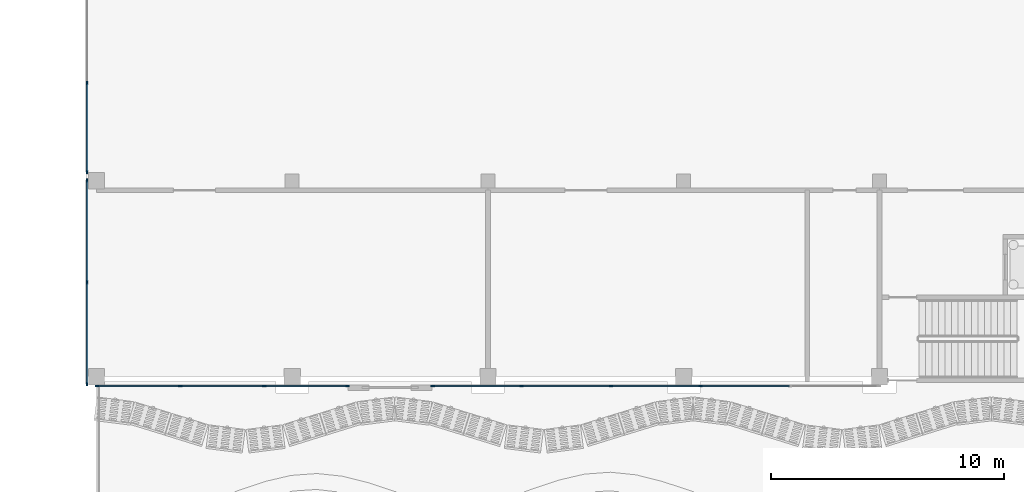
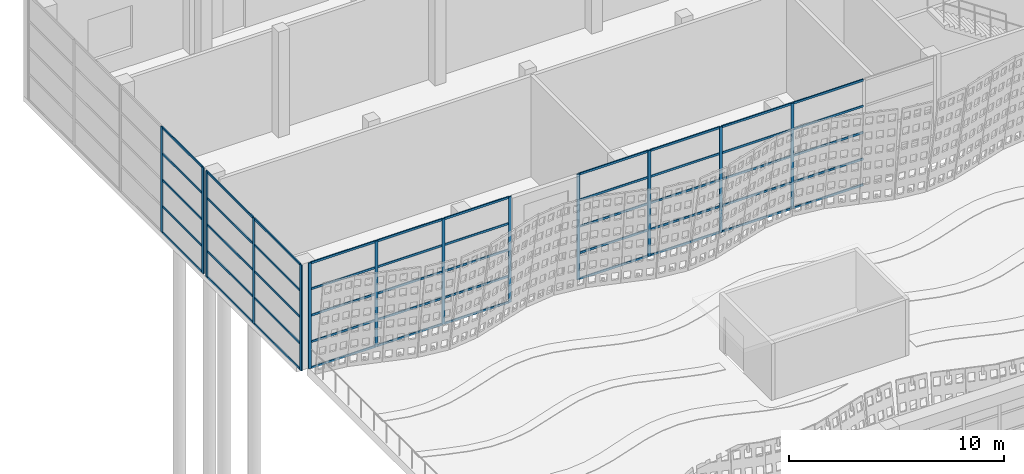
# One storey, part 29 of 210: 63 members, 4 elements without a shape of their own.
"""IFC4 building model written with IfcOpenShell, lengths in metres."""

from ifc_helpers import new_model, si_unit, direction, frame, origin, origin_2d, place, context, subcontext, project, spatial, rectangle, extrude, material, layer, layer_set, material_profile, profile_set, type_object, element, aggregate, save


model = new_model("IFC4")

# Units and contexts
model_context = context("Model", 3, precision=1e-05, world=origin(), true_north=direction((0.0, 1.0)))
body_context = subcontext(model_context, "Body", "Model", "MODEL_VIEW")
ifc_project = project(units=[si_unit("LENGTHUNIT", "METRE"), si_unit("AREAUNIT", "SQUARE_METRE"), si_unit("VOLUMEUNIT", "CUBIC_METRE"), si_unit("PLANEANGLEUNIT", "RADIAN"), si_unit("MASSUNIT", "GRAM", prefix="KILO")], contexts=[model_context])

# Site, building, storey
site_placement = place(None, origin())
site = spatial("IfcSite", under=ifc_project, at=site_placement, CompositionType="ELEMENT")
building_placement = place(site_placement, origin())
building = spatial("IfcBuilding", under=site, at=building_placement, Name="Rain Tree Exposition and Congress Centre", CompositionType="ELEMENT")
storey_placement = place(building_placement, origin())
storey = spatial("IfcBuildingStorey", under=building, at=storey_placement, Name="L00", CompositionType="ELEMENT", Elevation=0.0)

# Curtain wall, members
ifc_material_1 = material(Name="Aluminium curtain wall system", Category="aluminium")
ifc_layer = layer(ifc_material_1, 0.10009765625)
ifc_layer_set = layer_set([ifc_layer], Name="Aluminium curtain wall system")
curtain_wall_type = type_object("IfcCurtainWallType", Name="Concourse curtain wall 4200 module", PredefinedType="NOTDEFINED", material=ifc_layer_set)
curtain_wall_1_placement = place(storey_placement, origin())
curtain_wall_1 = element("IfcCurtainWall", 1, at=curtain_wall_1_placement, inside=storey, type_object=curtain_wall_type, Name="Concourse curtain wall CWC01", PredefinedType="NOTDEFINED")
ifc_material_2 = material(Name="Aluminium mullion", Category="aluminium")
ifc_material_profile_1 = material_profile(ifc_material_2, rectangle(XDim=0.06005859375, YDim=0.159912109375, at=origin_2d()), Name="AL 60x160")
ifc_profile_set_1 = profile_set([ifc_material_profile_1], Name="Aluminium mullion")
member_type_1 = type_object("IfcMemberType", Name="Concourse curtain wall mullion 60x160", PredefinedType="MULLION", material=ifc_profile_set_1)
member_1_placement = place(storey_placement, frame((0.030029296875, 75.199951171875, 0.0), z_axis=(0.0, 0.0, 1.0), x_axis=(0.0, 1.0, 0.0)))
member_1 = element("IfcMember", 2, at=member_1_placement, type_object=member_type_1, Name="CWC01 mullion 1", PredefinedType="MULLION", context=body_context, shape_type="SweptSolid", body=[
    extrude(rectangle(XDim=0.06005859375, YDim=0.159912109375, at=origin_2d()), origin(), (0.0, 0.0, 1.0), 6.0),
])
member_2_placement = place(storey_placement, frame((3.60009765625, 75.199951171875, 0.0), z_axis=(0.0, 0.0, 1.0), x_axis=(0.0, 1.0, 0.0)))
member_2 = element("IfcMember", 3, at=member_2_placement, type_object=member_type_1, Name="CWC01 mullion 2", PredefinedType="MULLION", context=body_context, shape_type="SweptSolid", body=[
    extrude(rectangle(XDim=0.06005859375, YDim=0.159912109375, at=origin_2d()), origin(), (0.0, 0.0, 1.0), 6.0),
])
member_3_placement = place(storey_placement, frame((7.199951171875, 75.199951171875, 0.0), z_axis=(0.0, 0.0, 1.0), x_axis=(0.0, 1.0, 0.0)))
member_3 = element("IfcMember", 4, at=member_3_placement, type_object=member_type_1, Name="CWC01 mullion 3", PredefinedType="MULLION", context=body_context, shape_type="SweptSolid", body=[
    extrude(rectangle(XDim=0.06005859375, YDim=0.159912109375, at=origin_2d()), origin(), (0.0, 0.0, 1.0), 6.0),
])
member_4_placement = place(storey_placement, frame((10.77001953125, 75.199951171875, 0.0), z_axis=(0.0, 0.0, 1.0), x_axis=(0.0, 1.0, 0.0)))
member_4 = element("IfcMember", 5, at=member_4_placement, type_object=member_type_1, Name="CWC01 mullion 4", PredefinedType="MULLION", context=body_context, shape_type="SweptSolid", body=[
    extrude(rectangle(XDim=0.06005859375, YDim=0.159912109375, at=origin_2d()), origin(), (0.0, 0.0, 1.0), 6.0),
])

curtain_wall_2_placement = place(storey_placement, origin())
curtain_wall_2 = element("IfcCurtainWall", 6, at=curtain_wall_2_placement, inside=storey, type_object=curtain_wall_type, Name="Concourse curtain wall CWC02", PredefinedType="NOTDEFINED")
member_5_placement = place(storey_placement, frame((14.429931640625, 75.199951171875, 0.0), z_axis=(0.0, 0.0, 1.0), x_axis=(0.0, 1.0, 0.0)))
member_5 = element("IfcMember", 7, at=member_5_placement, type_object=member_type_1, Name="CWC02 mullion 1", PredefinedType="MULLION", context=body_context, shape_type="SweptSolid", body=[
    extrude(rectangle(XDim=0.06005859375, YDim=0.159912109375, at=origin_2d()), origin(), (0.0, 0.0, 1.0), 6.0),
])
member_6_placement = place(storey_placement, frame((18.239990234375, 75.199951171875, 0.0), z_axis=(0.0, 0.0, 1.0), x_axis=(0.0, 1.0, 0.0)))
member_6 = element("IfcMember", 8, at=member_6_placement, type_object=member_type_1, Name="CWC02 mullion 2", PredefinedType="MULLION", context=body_context, shape_type="SweptSolid", body=[
    extrude(rectangle(XDim=0.06005859375, YDim=0.159912109375, at=origin_2d()), origin(), (0.0, 0.0, 1.0), 6.0),
])
member_7_placement = place(storey_placement, frame((22.080078125, 75.199951171875, 0.0), z_axis=(0.0, 0.0, 1.0), x_axis=(0.0, 1.0, 0.0)))
member_7 = element("IfcMember", 9, at=member_7_placement, type_object=member_type_1, Name="CWC02 mullion 3", PredefinedType="MULLION", context=body_context, shape_type="SweptSolid", body=[
    extrude(rectangle(XDim=0.06005859375, YDim=0.159912109375, at=origin_2d()), origin(), (0.0, 0.0, 1.0), 6.0),
])
member_8_placement = place(storey_placement, frame((25.919921875, 75.199951171875, 0.0), z_axis=(0.0, 0.0, 1.0), x_axis=(0.0, 1.0, 0.0)))
member_8 = element("IfcMember", 10, at=member_8_placement, type_object=member_type_1, Name="CWC02 mullion 4", PredefinedType="MULLION", context=body_context, shape_type="SweptSolid", body=[
    extrude(rectangle(XDim=0.06005859375, YDim=0.159912109375, at=origin_2d()), origin(), (0.0, 0.0, 1.0), 6.0),
])

curtain_wall_3_placement = place(storey_placement, origin())
curtain_wall_3 = element("IfcCurtainWall", 11, at=curtain_wall_3_placement, inside=storey, type_object=curtain_wall_type, Name="Concourse curtain wall CWC29", PredefinedType="NOTDEFINED")
member_9_placement = place(storey_placement, frame((-0.39990234375, 75.280029296875, 0.0), z_axis=(0.0, 0.0, 1.0), x_axis=(-1.0, 0.0, 0.0)))
member_9 = element("IfcMember", 12, at=member_9_placement, type_object=member_type_1, Name="CWC29 mullion 1", PredefinedType="MULLION", context=body_context, shape_type="SweptSolid", body=[
    extrude(rectangle(XDim=0.06005859375, YDim=0.159912109375, at=origin_2d()), origin(), (0.0, 0.0, 1.0), 6.0),
])
member_10_placement = place(storey_placement, frame((-0.39990234375, 79.64990234375, 0.0), z_axis=(0.0, 0.0, 1.0), x_axis=(-1.0, 0.0, 0.0)))
member_10 = element("IfcMember", 13, at=member_10_placement, type_object=member_type_1, Name="CWC29 mullion 2", PredefinedType="MULLION", context=body_context, shape_type="SweptSolid", body=[
    extrude(rectangle(XDim=0.06005859375, YDim=0.159912109375, at=origin_2d()), origin(), (0.0, 0.0, 1.0), 6.0),
])
member_11_placement = place(storey_placement, frame((-0.39990234375, 84.02001953125, 0.0), z_axis=(0.0, 0.0, 1.0), x_axis=(-1.0, 0.0, 0.0)))
member_11 = element("IfcMember", 14, at=member_11_placement, type_object=member_type_1, Name="CWC29 mullion 3", PredefinedType="MULLION", context=body_context, shape_type="SweptSolid", body=[
    extrude(rectangle(XDim=0.06005859375, YDim=0.159912109375, at=origin_2d()), origin(), (0.0, 0.0, 1.0), 6.0),
])

curtain_wall_4_placement = place(storey_placement, origin())
curtain_wall_4 = element("IfcCurtainWall", 15, at=curtain_wall_4_placement, inside=storey, type_object=curtain_wall_type, Name="Concourse curtain wall CWC30", PredefinedType="NOTDEFINED")
member_12_placement = place(storey_placement, frame((-0.39990234375, 84.3798828125, 0.0), z_axis=(0.0, 0.0, 1.0), x_axis=(-1.0, 0.0, 0.0)))
member_12 = element("IfcMember", 16, at=member_12_placement, type_object=member_type_1, Name="CWC30 mullion 1", PredefinedType="MULLION", context=body_context, shape_type="SweptSolid", body=[
    extrude(rectangle(XDim=0.06005859375, YDim=0.159912109375, at=origin_2d()), origin(), (0.0, 0.0, 1.0), 6.0),
])
member_13_placement = place(storey_placement, frame((-0.39990234375, 88.199951171875, 0.0), z_axis=(0.0, 0.0, 1.0), x_axis=(-1.0, 0.0, 0.0)))
member_13 = element("IfcMember", 17, at=member_13_placement, type_object=member_type_1, Name="CWC30 mullion 2", PredefinedType="MULLION", context=body_context, shape_type="SweptSolid", body=[
    extrude(rectangle(XDim=0.06005859375, YDim=0.159912109375, at=origin_2d()), origin(), (0.0, 0.0, 1.0), 6.0),
])

# Member
ifc_material_3 = material(Name="Aluminium transom", Category="aluminium")
ifc_material_profile_2 = material_profile(ifc_material_3, rectangle(XDim=0.06005859375, YDim=0.1201171875, at=origin_2d()), Name="AL 60x120")
ifc_profile_set_2 = profile_set([ifc_material_profile_2], Name="Aluminium transom")
member_type_2 = type_object("IfcMemberType", Name="Concourse curtain wall transom 60x120", PredefinedType="USERDEFINED", material=ifc_profile_set_2)
member_14_placement = place(storey_placement, frame((0.06005859375, 75.199951171875, 0.030029296875), z_axis=(1.0, 0.0, 0.0), x_axis=(0.0, 1.0, 0.0)))
member_14 = element("IfcMember", 18, at=member_14_placement, type_object=member_type_2, Name="CWC01 transom 1.1", ObjectType="TRANSOM", PredefinedType="USERDEFINED", context=body_context, shape_type="SweptSolid", body=[
    extrude(rectangle(XDim=0.06005859375, YDim=0.1201171875, at=origin_2d()), origin(), (0.0, 0.0, 1.0), 3.510009765625),
])

member_15_placement = place(storey_placement, frame((0.06005859375, 75.199951171875, 1.5), z_axis=(1.0, 0.0, 0.0), x_axis=(0.0, 1.0, 0.0)))
member_15 = element("IfcMember", 19, at=member_15_placement, type_object=member_type_2, Name="CWC01 transom 1.2", ObjectType="TRANSOM", PredefinedType="USERDEFINED", context=body_context, shape_type="SweptSolid", body=[
    extrude(rectangle(XDim=0.06005859375, YDim=0.1201171875, at=origin_2d()), origin(), (0.0, 0.0, 1.0), 3.510009765625),
])

member_16_placement = place(storey_placement, frame((0.06005859375, 75.199951171875, 3.0), z_axis=(1.0, 0.0, 0.0), x_axis=(0.0, 1.0, 0.0)))
member_16 = element("IfcMember", 20, at=member_16_placement, type_object=member_type_2, Name="CWC01 transom 1.3", ObjectType="TRANSOM", PredefinedType="USERDEFINED", context=body_context, shape_type="SweptSolid", body=[
    extrude(rectangle(XDim=0.06005859375, YDim=0.1201171875, at=origin_2d()), origin(), (0.0, 0.0, 1.0), 3.510009765625),
])

member_17_placement = place(storey_placement, frame((0.06005859375, 75.199951171875, 4.5), z_axis=(1.0, 0.0, 0.0), x_axis=(0.0, 1.0, 0.0)))
member_17 = element("IfcMember", 21, at=member_17_placement, type_object=member_type_2, Name="CWC01 transom 1.4", ObjectType="TRANSOM", PredefinedType="USERDEFINED", context=body_context, shape_type="SweptSolid", body=[
    extrude(rectangle(XDim=0.06005859375, YDim=0.1201171875, at=origin_2d()), origin(), (0.0, 0.0, 1.0), 3.510009765625),
])

member_18_placement = place(storey_placement, frame((0.06005859375, 75.199951171875, 5.969970703125), z_axis=(1.0, 0.0, 0.0), x_axis=(0.0, 1.0, 0.0)))
member_18 = element("IfcMember", 22, at=member_18_placement, type_object=member_type_2, Name="CWC01 transom 1.5", ObjectType="TRANSOM", PredefinedType="USERDEFINED", context=body_context, shape_type="SweptSolid", body=[
    extrude(rectangle(XDim=0.06005859375, YDim=0.1201171875, at=origin_2d()), origin(), (0.0, 0.0, 1.0), 3.510009765625),
])

member_19_placement = place(storey_placement, frame((3.6298828125, 75.199951171875, 0.030029296875), z_axis=(1.0, 0.0, 0.0), x_axis=(0.0, 1.0, 0.0)))
member_19 = element("IfcMember", 23, at=member_19_placement, type_object=member_type_2, Name="CWC01 transom 2.1", ObjectType="TRANSOM", PredefinedType="USERDEFINED", context=body_context, shape_type="SweptSolid", body=[
    extrude(rectangle(XDim=0.06005859375, YDim=0.1201171875, at=origin_2d()), origin(), (0.0, 0.0, 1.0), 3.5400390625),
])

member_20_placement = place(storey_placement, frame((3.6298828125, 75.199951171875, 1.5), z_axis=(1.0, 0.0, 0.0), x_axis=(0.0, 1.0, 0.0)))
member_20 = element("IfcMember", 24, at=member_20_placement, type_object=member_type_2, Name="CWC01 transom 2.2", ObjectType="TRANSOM", PredefinedType="USERDEFINED", context=body_context, shape_type="SweptSolid", body=[
    extrude(rectangle(XDim=0.06005859375, YDim=0.1201171875, at=origin_2d()), origin(), (0.0, 0.0, 1.0), 3.5400390625),
])

member_21_placement = place(storey_placement, frame((3.6298828125, 75.199951171875, 3.0), z_axis=(1.0, 0.0, 0.0), x_axis=(0.0, 1.0, 0.0)))
member_21 = element("IfcMember", 25, at=member_21_placement, type_object=member_type_2, Name="CWC01 transom 2.3", ObjectType="TRANSOM", PredefinedType="USERDEFINED", context=body_context, shape_type="SweptSolid", body=[
    extrude(rectangle(XDim=0.06005859375, YDim=0.1201171875, at=origin_2d()), origin(), (0.0, 0.0, 1.0), 3.5400390625),
])

member_22_placement = place(storey_placement, frame((3.6298828125, 75.199951171875, 4.5), z_axis=(1.0, 0.0, 0.0), x_axis=(0.0, 1.0, 0.0)))
member_22 = element("IfcMember", 26, at=member_22_placement, type_object=member_type_2, Name="CWC01 transom 2.4", ObjectType="TRANSOM", PredefinedType="USERDEFINED", context=body_context, shape_type="SweptSolid", body=[
    extrude(rectangle(XDim=0.06005859375, YDim=0.1201171875, at=origin_2d()), origin(), (0.0, 0.0, 1.0), 3.5400390625),
])

member_23_placement = place(storey_placement, frame((3.6298828125, 75.199951171875, 5.969970703125), z_axis=(1.0, 0.0, 0.0), x_axis=(0.0, 1.0, 0.0)))
member_23 = element("IfcMember", 27, at=member_23_placement, type_object=member_type_2, Name="CWC01 transom 2.5", ObjectType="TRANSOM", PredefinedType="USERDEFINED", context=body_context, shape_type="SweptSolid", body=[
    extrude(rectangle(XDim=0.06005859375, YDim=0.1201171875, at=origin_2d()), origin(), (0.0, 0.0, 1.0), 3.5400390625),
])

member_24_placement = place(storey_placement, frame((7.22998046875, 75.199951171875, 0.030029296875), z_axis=(1.0, 0.0, 0.0), x_axis=(0.0, 1.0, 0.0)))
member_24 = element("IfcMember", 28, at=member_24_placement, type_object=member_type_2, Name="CWC01 transom 3.1", ObjectType="TRANSOM", PredefinedType="USERDEFINED", context=body_context, shape_type="SweptSolid", body=[
    extrude(rectangle(XDim=0.06005859375, YDim=0.1201171875, at=origin_2d()), origin(), (0.0, 0.0, 1.0), 3.510009765625),
])

member_25_placement = place(storey_placement, frame((7.22998046875, 75.199951171875, 1.5), z_axis=(1.0, 0.0, 0.0), x_axis=(0.0, 1.0, 0.0)))
member_25 = element("IfcMember", 29, at=member_25_placement, type_object=member_type_2, Name="CWC01 transom 3.2", ObjectType="TRANSOM", PredefinedType="USERDEFINED", context=body_context, shape_type="SweptSolid", body=[
    extrude(rectangle(XDim=0.06005859375, YDim=0.1201171875, at=origin_2d()), origin(), (0.0, 0.0, 1.0), 3.510009765625),
])

member_26_placement = place(storey_placement, frame((7.22998046875, 75.199951171875, 3.0), z_axis=(1.0, 0.0, 0.0), x_axis=(0.0, 1.0, 0.0)))
member_26 = element("IfcMember", 30, at=member_26_placement, type_object=member_type_2, Name="CWC01 transom 3.3", ObjectType="TRANSOM", PredefinedType="USERDEFINED", context=body_context, shape_type="SweptSolid", body=[
    extrude(rectangle(XDim=0.06005859375, YDim=0.1201171875, at=origin_2d()), origin(), (0.0, 0.0, 1.0), 3.510009765625),
])

member_27_placement = place(storey_placement, frame((7.22998046875, 75.199951171875, 4.5), z_axis=(1.0, 0.0, 0.0), x_axis=(0.0, 1.0, 0.0)))
member_27 = element("IfcMember", 31, at=member_27_placement, type_object=member_type_2, Name="CWC01 transom 3.4", ObjectType="TRANSOM", PredefinedType="USERDEFINED", context=body_context, shape_type="SweptSolid", body=[
    extrude(rectangle(XDim=0.06005859375, YDim=0.1201171875, at=origin_2d()), origin(), (0.0, 0.0, 1.0), 3.510009765625),
])

member_28_placement = place(storey_placement, frame((7.22998046875, 75.199951171875, 5.969970703125), z_axis=(1.0, 0.0, 0.0), x_axis=(0.0, 1.0, 0.0)))
member_28 = element("IfcMember", 32, at=member_28_placement, type_object=member_type_2, Name="CWC01 transom 3.5", ObjectType="TRANSOM", PredefinedType="USERDEFINED", context=body_context, shape_type="SweptSolid", body=[
    extrude(rectangle(XDim=0.06005859375, YDim=0.1201171875, at=origin_2d()), origin(), (0.0, 0.0, 1.0), 3.510009765625),
])

aggregate(curtain_wall_1, [member_1, member_2, member_3, member_4, member_14, member_15, member_16, member_17, member_18, member_19, member_20, member_21, member_22, member_23, member_24, member_25, member_26, member_27, member_28])

member_29_placement = place(storey_placement, frame((14.4599609375, 75.199951171875, 0.030029296875), z_axis=(1.0, 0.0, 0.0), x_axis=(0.0, 1.0, 0.0)))
member_29 = element("IfcMember", 33, at=member_29_placement, type_object=member_type_2, Name="CWC02 transom 1.1", ObjectType="TRANSOM", PredefinedType="USERDEFINED", context=body_context, shape_type="SweptSolid", body=[
    extrude(rectangle(XDim=0.06005859375, YDim=0.1201171875, at=origin_2d()), origin(), (0.0, 0.0, 1.0), 3.75),
])

member_30_placement = place(storey_placement, frame((14.4599609375, 75.199951171875, 1.5), z_axis=(1.0, 0.0, 0.0), x_axis=(0.0, 1.0, 0.0)))
member_30 = element("IfcMember", 34, at=member_30_placement, type_object=member_type_2, Name="CWC02 transom 1.2", ObjectType="TRANSOM", PredefinedType="USERDEFINED", context=body_context, shape_type="SweptSolid", body=[
    extrude(rectangle(XDim=0.06005859375, YDim=0.1201171875, at=origin_2d()), origin(), (0.0, 0.0, 1.0), 3.75),
])

member_31_placement = place(storey_placement, frame((14.4599609375, 75.199951171875, 3.0), z_axis=(1.0, 0.0, 0.0), x_axis=(0.0, 1.0, 0.0)))
member_31 = element("IfcMember", 35, at=member_31_placement, type_object=member_type_2, Name="CWC02 transom 1.3", ObjectType="TRANSOM", PredefinedType="USERDEFINED", context=body_context, shape_type="SweptSolid", body=[
    extrude(rectangle(XDim=0.06005859375, YDim=0.1201171875, at=origin_2d()), origin(), (0.0, 0.0, 1.0), 3.75),
])

member_32_placement = place(storey_placement, frame((14.4599609375, 75.199951171875, 4.5), z_axis=(1.0, 0.0, 0.0), x_axis=(0.0, 1.0, 0.0)))
member_32 = element("IfcMember", 36, at=member_32_placement, type_object=member_type_2, Name="CWC02 transom 1.4", ObjectType="TRANSOM", PredefinedType="USERDEFINED", context=body_context, shape_type="SweptSolid", body=[
    extrude(rectangle(XDim=0.06005859375, YDim=0.1201171875, at=origin_2d()), origin(), (0.0, 0.0, 1.0), 3.75),
])

member_33_placement = place(storey_placement, frame((14.4599609375, 75.199951171875, 5.969970703125), z_axis=(1.0, 0.0, 0.0), x_axis=(0.0, 1.0, 0.0)))
member_33 = element("IfcMember", 37, at=member_33_placement, type_object=member_type_2, Name="CWC02 transom 1.5", ObjectType="TRANSOM", PredefinedType="USERDEFINED", context=body_context, shape_type="SweptSolid", body=[
    extrude(rectangle(XDim=0.06005859375, YDim=0.1201171875, at=origin_2d()), origin(), (0.0, 0.0, 1.0), 3.75),
])

member_34_placement = place(storey_placement, frame((18.27001953125, 75.199951171875, 0.030029296875), z_axis=(1.0, 0.0, 0.0), x_axis=(0.0, 1.0, 0.0)))
member_34 = element("IfcMember", 38, at=member_34_placement, type_object=member_type_2, Name="CWC02 transom 2.1", ObjectType="TRANSOM", PredefinedType="USERDEFINED", context=body_context, shape_type="SweptSolid", body=[
    extrude(rectangle(XDim=0.06005859375, YDim=0.1201171875, at=origin_2d()), origin(), (0.0, 0.0, 1.0), 3.780029296875),
])

member_35_placement = place(storey_placement, frame((18.27001953125, 75.199951171875, 1.5), z_axis=(1.0, 0.0, 0.0), x_axis=(0.0, 1.0, 0.0)))
member_35 = element("IfcMember", 39, at=member_35_placement, type_object=member_type_2, Name="CWC02 transom 2.2", ObjectType="TRANSOM", PredefinedType="USERDEFINED", context=body_context, shape_type="SweptSolid", body=[
    extrude(rectangle(XDim=0.06005859375, YDim=0.1201171875, at=origin_2d()), origin(), (0.0, 0.0, 1.0), 3.780029296875),
])

member_36_placement = place(storey_placement, frame((18.27001953125, 75.199951171875, 3.0), z_axis=(1.0, 0.0, 0.0), x_axis=(0.0, 1.0, 0.0)))
member_36 = element("IfcMember", 40, at=member_36_placement, type_object=member_type_2, Name="CWC02 transom 2.3", ObjectType="TRANSOM", PredefinedType="USERDEFINED", context=body_context, shape_type="SweptSolid", body=[
    extrude(rectangle(XDim=0.06005859375, YDim=0.1201171875, at=origin_2d()), origin(), (0.0, 0.0, 1.0), 3.780029296875),
])

member_37_placement = place(storey_placement, frame((18.27001953125, 75.199951171875, 4.5), z_axis=(1.0, 0.0, 0.0), x_axis=(0.0, 1.0, 0.0)))
member_37 = element("IfcMember", 41, at=member_37_placement, type_object=member_type_2, Name="CWC02 transom 2.4", ObjectType="TRANSOM", PredefinedType="USERDEFINED", context=body_context, shape_type="SweptSolid", body=[
    extrude(rectangle(XDim=0.06005859375, YDim=0.1201171875, at=origin_2d()), origin(), (0.0, 0.0, 1.0), 3.780029296875),
])

member_38_placement = place(storey_placement, frame((18.27001953125, 75.199951171875, 5.969970703125), z_axis=(1.0, 0.0, 0.0), x_axis=(0.0, 1.0, 0.0)))
member_38 = element("IfcMember", 42, at=member_38_placement, type_object=member_type_2, Name="CWC02 transom 2.5", ObjectType="TRANSOM", PredefinedType="USERDEFINED", context=body_context, shape_type="SweptSolid", body=[
    extrude(rectangle(XDim=0.06005859375, YDim=0.1201171875, at=origin_2d()), origin(), (0.0, 0.0, 1.0), 3.780029296875),
])

member_39_placement = place(storey_placement, frame((22.110107421875, 75.199951171875, 0.030029296875), z_axis=(1.0, 0.0, 0.0), x_axis=(0.0, 1.0, 0.0)))
member_39 = element("IfcMember", 43, at=member_39_placement, type_object=member_type_2, Name="CWC02 transom 3.1", ObjectType="TRANSOM", PredefinedType="USERDEFINED", context=body_context, shape_type="SweptSolid", body=[
    extrude(rectangle(XDim=0.06005859375, YDim=0.1201171875, at=origin_2d()), origin(), (0.0, 0.0, 1.0), 3.77978515625),
])

member_40_placement = place(storey_placement, frame((22.110107421875, 75.199951171875, 1.5), z_axis=(1.0, 0.0, 0.0), x_axis=(0.0, 1.0, 0.0)))
member_40 = element("IfcMember", 44, at=member_40_placement, type_object=member_type_2, Name="CWC02 transom 3.2", ObjectType="TRANSOM", PredefinedType="USERDEFINED", context=body_context, shape_type="SweptSolid", body=[
    extrude(rectangle(XDim=0.06005859375, YDim=0.1201171875, at=origin_2d()), origin(), (0.0, 0.0, 1.0), 3.77978515625),
])

member_41_placement = place(storey_placement, frame((22.110107421875, 75.199951171875, 3.0), z_axis=(1.0, 0.0, 0.0), x_axis=(0.0, 1.0, 0.0)))
member_41 = element("IfcMember", 45, at=member_41_placement, type_object=member_type_2, Name="CWC02 transom 3.3", ObjectType="TRANSOM", PredefinedType="USERDEFINED", context=body_context, shape_type="SweptSolid", body=[
    extrude(rectangle(XDim=0.06005859375, YDim=0.1201171875, at=origin_2d()), origin(), (0.0, 0.0, 1.0), 3.77978515625),
])

member_42_placement = place(storey_placement, frame((22.110107421875, 75.199951171875, 4.5), z_axis=(1.0, 0.0, 0.0), x_axis=(0.0, 1.0, 0.0)))
member_42 = element("IfcMember", 46, at=member_42_placement, type_object=member_type_2, Name="CWC02 transom 3.4", ObjectType="TRANSOM", PredefinedType="USERDEFINED", context=body_context, shape_type="SweptSolid", body=[
    extrude(rectangle(XDim=0.06005859375, YDim=0.1201171875, at=origin_2d()), origin(), (0.0, 0.0, 1.0), 3.77978515625),
])

member_43_placement = place(storey_placement, frame((22.110107421875, 75.199951171875, 5.969970703125), z_axis=(1.0, 0.0, 0.0), x_axis=(0.0, 1.0, 0.0)))
member_43 = element("IfcMember", 47, at=member_43_placement, type_object=member_type_2, Name="CWC02 transom 3.5", ObjectType="TRANSOM", PredefinedType="USERDEFINED", context=body_context, shape_type="SweptSolid", body=[
    extrude(rectangle(XDim=0.06005859375, YDim=0.1201171875, at=origin_2d()), origin(), (0.0, 0.0, 1.0), 3.77978515625),
])

member_44_placement = place(storey_placement, frame((25.949951171875, 75.199951171875, 0.030029296875), z_axis=(1.0, 0.0, 0.0), x_axis=(0.0, 1.0, 0.0)))
member_44 = element("IfcMember", 48, at=member_44_placement, type_object=member_type_2, Name="CWC02 transom 4.1", ObjectType="TRANSOM", PredefinedType="USERDEFINED", context=body_context, shape_type="SweptSolid", body=[
    extrude(rectangle(XDim=0.06005859375, YDim=0.1201171875, at=origin_2d()), origin(), (0.0, 0.0, 1.0), 3.780029296875),
])

member_45_placement = place(storey_placement, frame((25.949951171875, 75.199951171875, 1.5), z_axis=(1.0, 0.0, 0.0), x_axis=(0.0, 1.0, 0.0)))
member_45 = element("IfcMember", 49, at=member_45_placement, type_object=member_type_2, Name="CWC02 transom 4.2", ObjectType="TRANSOM", PredefinedType="USERDEFINED", context=body_context, shape_type="SweptSolid", body=[
    extrude(rectangle(XDim=0.06005859375, YDim=0.1201171875, at=origin_2d()), origin(), (0.0, 0.0, 1.0), 3.780029296875),
])

member_46_placement = place(storey_placement, frame((25.949951171875, 75.199951171875, 3.0), z_axis=(1.0, 0.0, 0.0), x_axis=(0.0, 1.0, 0.0)))
member_46 = element("IfcMember", 50, at=member_46_placement, type_object=member_type_2, Name="CWC02 transom 4.3", ObjectType="TRANSOM", PredefinedType="USERDEFINED", context=body_context, shape_type="SweptSolid", body=[
    extrude(rectangle(XDim=0.06005859375, YDim=0.1201171875, at=origin_2d()), origin(), (0.0, 0.0, 1.0), 3.780029296875),
])

member_47_placement = place(storey_placement, frame((25.949951171875, 75.199951171875, 4.5), z_axis=(1.0, 0.0, 0.0), x_axis=(0.0, 1.0, 0.0)))
member_47 = element("IfcMember", 51, at=member_47_placement, type_object=member_type_2, Name="CWC02 transom 4.4", ObjectType="TRANSOM", PredefinedType="USERDEFINED", context=body_context, shape_type="SweptSolid", body=[
    extrude(rectangle(XDim=0.06005859375, YDim=0.1201171875, at=origin_2d()), origin(), (0.0, 0.0, 1.0), 3.780029296875),
])

member_48_placement = place(storey_placement, frame((25.949951171875, 75.199951171875, 5.969970703125), z_axis=(1.0, 0.0, 0.0), x_axis=(0.0, 1.0, 0.0)))
member_48 = element("IfcMember", 52, at=member_48_placement, type_object=member_type_2, Name="CWC02 transom 4.5", ObjectType="TRANSOM", PredefinedType="USERDEFINED", context=body_context, shape_type="SweptSolid", body=[
    extrude(rectangle(XDim=0.06005859375, YDim=0.1201171875, at=origin_2d()), origin(), (0.0, 0.0, 1.0), 3.780029296875),
])

aggregate(curtain_wall_2, [member_5, member_6, member_7, member_8, member_29, member_30, member_31, member_32, member_33, member_34, member_35, member_36, member_37, member_38, member_39, member_40, member_41, member_42, member_43, member_44, member_45, member_46, member_47, member_48])

member_49_placement = place(storey_placement, frame((-0.39990234375, 75.31005859375, 0.030029296875), z_axis=(0.0, 1.0, 0.0), x_axis=(-1.0, 0.0, 0.0)))
member_49 = element("IfcMember", 53, at=member_49_placement, type_object=member_type_2, Name="CWC29 transom 1.1", ObjectType="TRANSOM", PredefinedType="USERDEFINED", context=body_context, shape_type="SweptSolid", body=[
    extrude(rectangle(XDim=0.06005859375, YDim=0.1201171875, at=origin_2d()), origin(), (0.0, 0.0, 1.0), 4.31005859375),
])

member_50_placement = place(storey_placement, frame((-0.39990234375, 75.31005859375, 1.5), z_axis=(0.0, 1.0, 0.0), x_axis=(-1.0, 0.0, 0.0)))
member_50 = element("IfcMember", 54, at=member_50_placement, type_object=member_type_2, Name="CWC29 transom 1.2", ObjectType="TRANSOM", PredefinedType="USERDEFINED", context=body_context, shape_type="SweptSolid", body=[
    extrude(rectangle(XDim=0.06005859375, YDim=0.1201171875, at=origin_2d()), origin(), (0.0, 0.0, 1.0), 4.31005859375),
])

member_51_placement = place(storey_placement, frame((-0.39990234375, 75.31005859375, 3.0), z_axis=(0.0, 1.0, 0.0), x_axis=(-1.0, 0.0, 0.0)))
member_51 = element("IfcMember", 55, at=member_51_placement, type_object=member_type_2, Name="CWC29 transom 1.3", ObjectType="TRANSOM", PredefinedType="USERDEFINED", context=body_context, shape_type="SweptSolid", body=[
    extrude(rectangle(XDim=0.06005859375, YDim=0.1201171875, at=origin_2d()), origin(), (0.0, 0.0, 1.0), 4.31005859375),
])

member_52_placement = place(storey_placement, frame((-0.39990234375, 75.31005859375, 4.5), z_axis=(0.0, 1.0, 0.0), x_axis=(-1.0, 0.0, 0.0)))
member_52 = element("IfcMember", 56, at=member_52_placement, type_object=member_type_2, Name="CWC29 transom 1.4", ObjectType="TRANSOM", PredefinedType="USERDEFINED", context=body_context, shape_type="SweptSolid", body=[
    extrude(rectangle(XDim=0.06005859375, YDim=0.1201171875, at=origin_2d()), origin(), (0.0, 0.0, 1.0), 4.31005859375),
])

member_53_placement = place(storey_placement, frame((-0.39990234375, 75.31005859375, 5.969970703125), z_axis=(0.0, 1.0, 0.0), x_axis=(-1.0, 0.0, 0.0)))
member_53 = element("IfcMember", 57, at=member_53_placement, type_object=member_type_2, Name="CWC29 transom 1.5", ObjectType="TRANSOM", PredefinedType="USERDEFINED", context=body_context, shape_type="SweptSolid", body=[
    extrude(rectangle(XDim=0.06005859375, YDim=0.1201171875, at=origin_2d()), origin(), (0.0, 0.0, 1.0), 4.31005859375),
])

member_54_placement = place(storey_placement, frame((-0.39990234375, 79.679931640625, 0.030029296875), z_axis=(0.0, 1.0, 0.0), x_axis=(-1.0, 0.0, 0.0)))
member_54 = element("IfcMember", 58, at=member_54_placement, type_object=member_type_2, Name="CWC29 transom 2.1", ObjectType="TRANSOM", PredefinedType="USERDEFINED", context=body_context, shape_type="SweptSolid", body=[
    extrude(rectangle(XDim=0.06005859375, YDim=0.1201171875, at=origin_2d()), origin(), (0.0, 0.0, 1.0), 4.31005859375),
])

member_55_placement = place(storey_placement, frame((-0.39990234375, 79.679931640625, 1.5), z_axis=(0.0, 1.0, 0.0), x_axis=(-1.0, 0.0, 0.0)))
member_55 = element("IfcMember", 59, at=member_55_placement, type_object=member_type_2, Name="CWC29 transom 2.2", ObjectType="TRANSOM", PredefinedType="USERDEFINED", context=body_context, shape_type="SweptSolid", body=[
    extrude(rectangle(XDim=0.06005859375, YDim=0.1201171875, at=origin_2d()), origin(), (0.0, 0.0, 1.0), 4.31005859375),
])

member_56_placement = place(storey_placement, frame((-0.39990234375, 79.679931640625, 3.0), z_axis=(0.0, 1.0, 0.0), x_axis=(-1.0, 0.0, 0.0)))
member_56 = element("IfcMember", 60, at=member_56_placement, type_object=member_type_2, Name="CWC29 transom 2.3", ObjectType="TRANSOM", PredefinedType="USERDEFINED", context=body_context, shape_type="SweptSolid", body=[
    extrude(rectangle(XDim=0.06005859375, YDim=0.1201171875, at=origin_2d()), origin(), (0.0, 0.0, 1.0), 4.31005859375),
])

member_57_placement = place(storey_placement, frame((-0.39990234375, 79.679931640625, 4.5), z_axis=(0.0, 1.0, 0.0), x_axis=(-1.0, 0.0, 0.0)))
member_57 = element("IfcMember", 61, at=member_57_placement, type_object=member_type_2, Name="CWC29 transom 2.4", ObjectType="TRANSOM", PredefinedType="USERDEFINED", context=body_context, shape_type="SweptSolid", body=[
    extrude(rectangle(XDim=0.06005859375, YDim=0.1201171875, at=origin_2d()), origin(), (0.0, 0.0, 1.0), 4.31005859375),
])

member_58_placement = place(storey_placement, frame((-0.39990234375, 79.679931640625, 5.969970703125), z_axis=(0.0, 1.0, 0.0), x_axis=(-1.0, 0.0, 0.0)))
member_58 = element("IfcMember", 62, at=member_58_placement, type_object=member_type_2, Name="CWC29 transom 2.5", ObjectType="TRANSOM", PredefinedType="USERDEFINED", context=body_context, shape_type="SweptSolid", body=[
    extrude(rectangle(XDim=0.06005859375, YDim=0.1201171875, at=origin_2d()), origin(), (0.0, 0.0, 1.0), 4.31005859375),
])

aggregate(curtain_wall_3, [member_9, member_10, member_11, member_49, member_50, member_51, member_52, member_53, member_54, member_55, member_56, member_57, member_58])

member_59_placement = place(storey_placement, frame((-0.39990234375, 84.409912109375, 0.030029296875), z_axis=(0.0, 1.0, 0.0), x_axis=(-1.0, 0.0, 0.0)))
member_59 = element("IfcMember", 63, at=member_59_placement, type_object=member_type_2, Name="CWC30 transom 1.1", ObjectType="TRANSOM", PredefinedType="USERDEFINED", context=body_context, shape_type="SweptSolid", body=[
    extrude(rectangle(XDim=0.06005859375, YDim=0.1201171875, at=origin_2d()), origin(), (0.0, 0.0, 1.0), 3.760009765625),
])

member_60_placement = place(storey_placement, frame((-0.39990234375, 84.409912109375, 1.5), z_axis=(0.0, 1.0, 0.0), x_axis=(-1.0, 0.0, 0.0)))
member_60 = element("IfcMember", 64, at=member_60_placement, type_object=member_type_2, Name="CWC30 transom 1.2", ObjectType="TRANSOM", PredefinedType="USERDEFINED", context=body_context, shape_type="SweptSolid", body=[
    extrude(rectangle(XDim=0.06005859375, YDim=0.1201171875, at=origin_2d()), origin(), (0.0, 0.0, 1.0), 3.760009765625),
])

member_61_placement = place(storey_placement, frame((-0.39990234375, 84.409912109375, 3.0), z_axis=(0.0, 1.0, 0.0), x_axis=(-1.0, 0.0, 0.0)))
member_61 = element("IfcMember", 65, at=member_61_placement, type_object=member_type_2, Name="CWC30 transom 1.3", ObjectType="TRANSOM", PredefinedType="USERDEFINED", context=body_context, shape_type="SweptSolid", body=[
    extrude(rectangle(XDim=0.06005859375, YDim=0.1201171875, at=origin_2d()), origin(), (0.0, 0.0, 1.0), 3.760009765625),
])

member_62_placement = place(storey_placement, frame((-0.39990234375, 84.409912109375, 4.5), z_axis=(0.0, 1.0, 0.0), x_axis=(-1.0, 0.0, 0.0)))
member_62 = element("IfcMember", 66, at=member_62_placement, type_object=member_type_2, Name="CWC30 transom 1.4", ObjectType="TRANSOM", PredefinedType="USERDEFINED", context=body_context, shape_type="SweptSolid", body=[
    extrude(rectangle(XDim=0.06005859375, YDim=0.1201171875, at=origin_2d()), origin(), (0.0, 0.0, 1.0), 3.760009765625),
])

member_63_placement = place(storey_placement, frame((-0.39990234375, 84.409912109375, 5.969970703125), z_axis=(0.0, 1.0, 0.0), x_axis=(-1.0, 0.0, 0.0)))
member_63 = element("IfcMember", 67, at=member_63_placement, type_object=member_type_2, Name="CWC30 transom 1.5", ObjectType="TRANSOM", PredefinedType="USERDEFINED", context=body_context, shape_type="SweptSolid", body=[
    extrude(rectangle(XDim=0.06005859375, YDim=0.1201171875, at=origin_2d()), origin(), (0.0, 0.0, 1.0), 3.760009765625),
])

aggregate(curtain_wall_4, [member_12, member_13, member_59, member_60, member_61, member_62, member_63])

save(model, "model.ifc")
